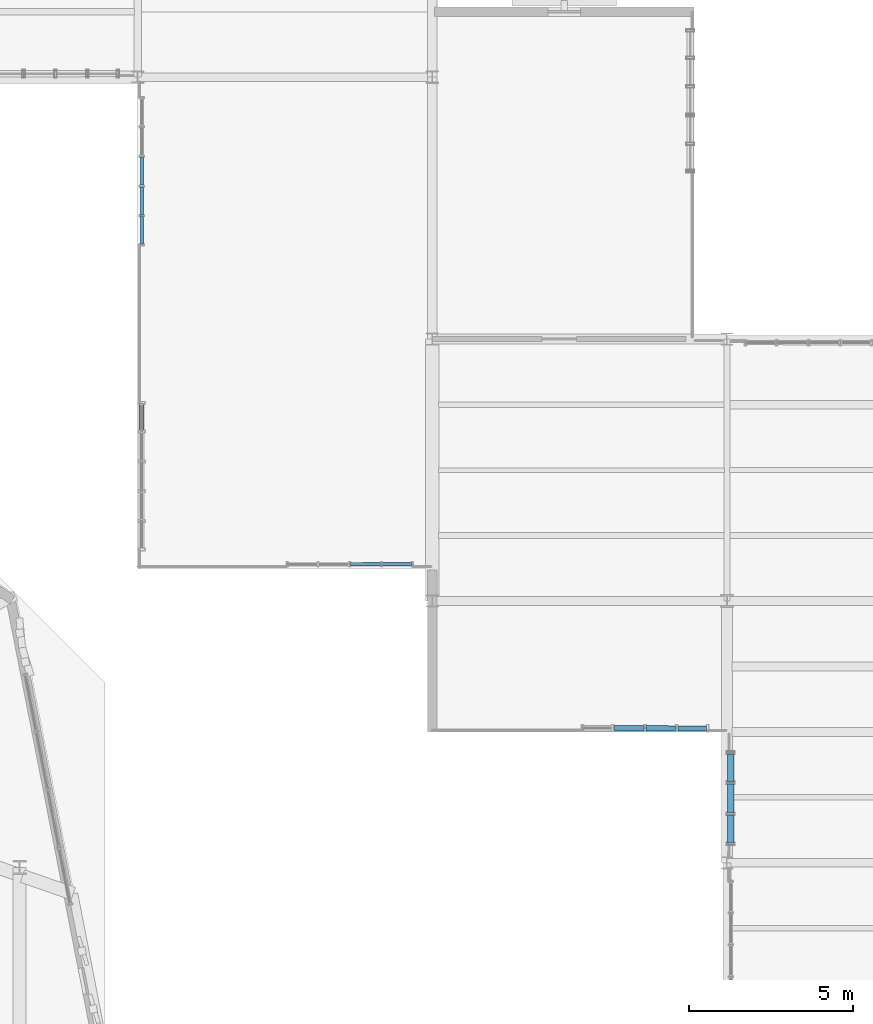
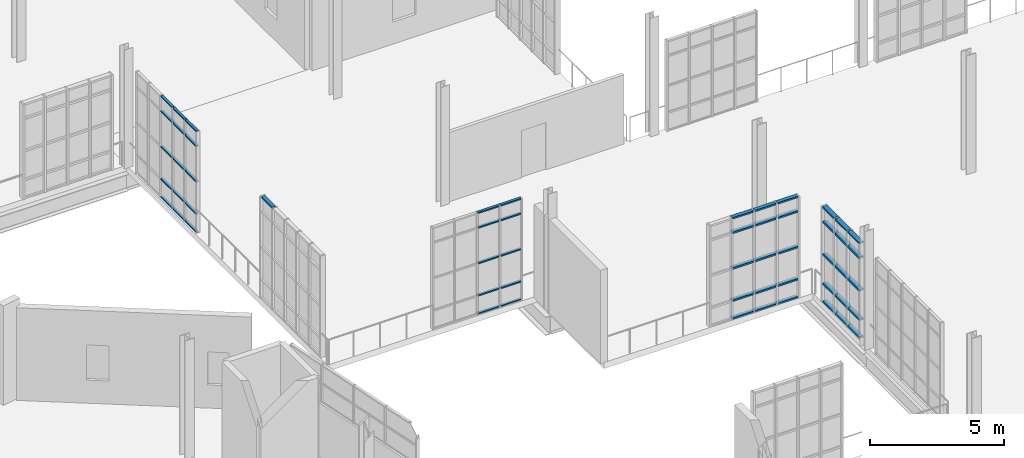
# One storey, part 92 of 142: 56 members, 5 elements without a shape of their own.
"""IFC4 building model written with IfcOpenShell, lengths in metres."""

from ifc_helpers import new_model, si_unit, direction, frame, origin, origin_2d, place, context, subcontext, project, spatial, hollow_rectangle, extrude, material, layer, layer_set, material_profile, profile_set, type_object, element, aggregate, save


model = new_model("IFC4")

# Units and contexts
model_context = context("Model", 3, precision=1e-05, world=origin(), true_north=direction((0.0, 1.0)))
body_context = subcontext(model_context, "Body", "Model", "MODEL_VIEW")
ifc_project = project(units=[si_unit("LENGTHUNIT", "METRE"), si_unit("AREAUNIT", "SQUARE_METRE"), si_unit("VOLUMEUNIT", "CUBIC_METRE"), si_unit("PLANEANGLEUNIT", "RADIAN"), si_unit("MASSUNIT", "GRAM", prefix="KILO"), si_unit("THERMODYNAMICTEMPERATUREUNIT", "KELVIN"), si_unit("POWERUNIT", "WATT")], contexts=[model_context])

# Site, building, storey
site_placement = place(None, origin())
site = spatial("IfcSite", under=ifc_project, at=site_placement, CompositionType="ELEMENT")
building_placement = place(site_placement, origin())
building = spatial("IfcBuilding", under=site, at=building_placement, Name="Zelmaris Science Centre", CompositionType="ELEMENT")
storey_placement = place(building_placement, frame((0.0, 0.0, 5.39990234375)))
storey = spatial("IfcBuildingStorey", under=building, at=storey_placement, Name="L01", CompositionType="ELEMENT", Elevation=5.39990234375)

# Curtain wall, members
ifc_material = material(Name="Anodised architectural aluminium 6063-T6", Category="aluminium")
ifc_layer_1 = layer(ifc_material, 0.219970703125, Name="Anodised architectural aluminium 6063-T6")
ifc_layer_set_1 = layer_set([ifc_layer_1], Name="Anodised architectural aluminium 6063-T6")
curtain_wall_type_1 = type_object("IfcCurtainWallType", Name="Curtain Wall CW-04", PredefinedType="USERDEFINED", material=ifc_layer_set_1)
curtain_wall_1_placement = place(storey_placement, origin())
curtain_wall_1 = element("IfcCurtainWall", 1, at=curtain_wall_1_placement, inside=storey, type_object=curtain_wall_type_1, Name="L01 Unitised curtain wall 184", ObjectType="GLAZED CURTAIN WALL", PredefinedType="USERDEFINED")
ifc_material_profile_1 = material_profile(ifc_material, hollow_rectangle(XDim=0.06005859375, YDim=0.110107421875, WallThickness=0.0029296875, at=origin_2d()), Name="ALU-TRN-60X110")
ifc_profile_set_1 = profile_set([ifc_material_profile_1], Name="Anodised architectural aluminium 6063-T6")
member_type_1 = type_object("IfcMemberType", Name="ALU-TRN-60X110", PredefinedType="USERDEFINED", material=ifc_profile_set_1)
member_1_placement = place(storey_placement, frame((107.365478515625, 49.11767578125, 0.010986328125), z_axis=(-0.999999962531, 0.000273747594, 0.0), x_axis=(0.0, 0.0, 1.0)))
member_1 = element("IfcMember", 2, at=member_1_placement, type_object=member_type_1, Name="CW-04 transom 1.1", ObjectType="TRANSOM", PredefinedType="USERDEFINED", context=body_context, shape_type="SweptSolid", body=[
    extrude(hollow_rectangle(XDim=0.06005859375, YDim=0.110107421875, WallThickness=0.0029296875, at=origin_2d()), origin(), (0.0, 0.0, 1.0), 0.891845703125),
])
member_2_placement = place(storey_placement, frame((107.365478515625, 49.11767578125, 0.835205078125), z_axis=(-0.999999962531, 0.000273747594, 0.0), x_axis=(0.0, 0.0, 1.0)))
member_2 = element("IfcMember", 3, at=member_2_placement, type_object=member_type_1, Name="CW-04 transom 1.2", ObjectType="TRANSOM", PredefinedType="USERDEFINED", context=body_context, shape_type="SweptSolid", body=[
    extrude(hollow_rectangle(XDim=0.06005859375, YDim=0.110107421875, WallThickness=0.0029296875, at=origin_2d()), origin(), (0.0, 0.0, 1.0), 0.891845703125),
])
member_3_placement = place(storey_placement, frame((107.365478515625, 49.11767578125, 2.302490234375), z_axis=(-0.999999962531, 0.000273747594, 0.0), x_axis=(0.0, 0.0, 1.0)))
member_3 = element("IfcMember", 4, at=member_3_placement, type_object=member_type_1, Name="CW-04 transom 1.3", ObjectType="TRANSOM", PredefinedType="USERDEFINED", context=body_context, shape_type="SweptSolid", body=[
    extrude(hollow_rectangle(XDim=0.06005859375, YDim=0.110107421875, WallThickness=0.0029296875, at=origin_2d()), origin(), (0.0, 0.0, 1.0), 0.891845703125),
])
member_4_placement = place(storey_placement, frame((107.365478515625, 49.11767578125, 3.920166015625), z_axis=(-0.999999962531, 0.000273747594, 0.0), x_axis=(0.0, 0.0, 1.0)))
member_4 = element("IfcMember", 5, at=member_4_placement, type_object=member_type_1, Name="CW-04 transom 1.4", ObjectType="TRANSOM", PredefinedType="USERDEFINED", context=body_context, shape_type="SweptSolid", body=[
    extrude(hollow_rectangle(XDim=0.06005859375, YDim=0.110107421875, WallThickness=0.0029296875, at=origin_2d()), origin(), (0.0, 0.0, 1.0), 0.891845703125),
])
member_5_placement = place(storey_placement, frame((107.365478515625, 49.11767578125, 4.593994140625), z_axis=(-0.999999962531, 0.000273747594, 0.0), x_axis=(0.0, 0.0, 1.0)))
member_5 = element("IfcMember", 6, at=member_5_placement, type_object=member_type_1, Name="CW-04 transom 1.5", ObjectType="TRANSOM", PredefinedType="USERDEFINED", context=body_context, shape_type="SweptSolid", body=[
    extrude(hollow_rectangle(XDim=0.06005859375, YDim=0.110107421875, WallThickness=0.0029296875, at=origin_2d()), origin(), (0.0, 0.0, 1.0), 0.891845703125),
])
member_6_placement = place(storey_placement, frame((106.421630859375, 49.117919921875, 0.010986328125), z_axis=(-0.999999964596, 0.000266098979, 0.0), x_axis=(0.0, 0.0, 1.0)))
member_6 = element("IfcMember", 7, at=member_6_placement, type_object=member_type_1, Name="CW-04 transom 2.1", ObjectType="TRANSOM", PredefinedType="USERDEFINED", context=body_context, shape_type="SweptSolid", body=[
    extrude(hollow_rectangle(XDim=0.06005859375, YDim=0.110107421875, WallThickness=0.0029296875, at=origin_2d()), origin(), (0.0, 0.0, 1.0), 0.91748046875),
])
member_7_placement = place(storey_placement, frame((106.421630859375, 49.117919921875, 0.835205078125), z_axis=(-0.999999964596, 0.000266098979, 0.0), x_axis=(0.0, 0.0, 1.0)))
member_7 = element("IfcMember", 8, at=member_7_placement, type_object=member_type_1, Name="CW-04 transom 2.2", ObjectType="TRANSOM", PredefinedType="USERDEFINED", context=body_context, shape_type="SweptSolid", body=[
    extrude(hollow_rectangle(XDim=0.06005859375, YDim=0.110107421875, WallThickness=0.0029296875, at=origin_2d()), origin(), (0.0, 0.0, 1.0), 0.91748046875),
])
member_8_placement = place(storey_placement, frame((106.421630859375, 49.117919921875, 2.302490234375), z_axis=(-0.999999964596, 0.000266098979, 0.0), x_axis=(0.0, 0.0, 1.0)))
member_8 = element("IfcMember", 9, at=member_8_placement, type_object=member_type_1, Name="CW-04 transom 2.3", ObjectType="TRANSOM", PredefinedType="USERDEFINED", context=body_context, shape_type="SweptSolid", body=[
    extrude(hollow_rectangle(XDim=0.06005859375, YDim=0.110107421875, WallThickness=0.0029296875, at=origin_2d()), origin(), (0.0, 0.0, 1.0), 0.91748046875),
])
member_9_placement = place(storey_placement, frame((106.421630859375, 49.117919921875, 3.920166015625), z_axis=(-0.999999964596, 0.000266098979, 0.0), x_axis=(0.0, 0.0, 1.0)))
member_9 = element("IfcMember", 10, at=member_9_placement, type_object=member_type_1, Name="CW-04 transom 2.4", ObjectType="TRANSOM", PredefinedType="USERDEFINED", context=body_context, shape_type="SweptSolid", body=[
    extrude(hollow_rectangle(XDim=0.06005859375, YDim=0.110107421875, WallThickness=0.0029296875, at=origin_2d()), origin(), (0.0, 0.0, 1.0), 0.91748046875),
])
member_10_placement = place(storey_placement, frame((106.421630859375, 49.117919921875, 4.593994140625), z_axis=(-0.999999964596, 0.000266098979, 0.0), x_axis=(0.0, 0.0, 1.0)))
member_10 = element("IfcMember", 11, at=member_10_placement, type_object=member_type_1, Name="CW-04 transom 2.5", ObjectType="TRANSOM", PredefinedType="USERDEFINED", context=body_context, shape_type="SweptSolid", body=[
    extrude(hollow_rectangle(XDim=0.06005859375, YDim=0.110107421875, WallThickness=0.0029296875, at=origin_2d()), origin(), (0.0, 0.0, 1.0), 0.91748046875),
])
aggregate(curtain_wall_1, [member_1, member_2, member_3, member_4, member_5, member_6, member_7, member_8, member_9, member_10])

curtain_wall_2_placement = place(storey_placement, origin())
curtain_wall_2 = element("IfcCurtainWall", 12, at=curtain_wall_2_placement, inside=storey, type_object=curtain_wall_type_1, Name="L01 Unitised curtain wall 188", ObjectType="GLAZED CURTAIN WALL", PredefinedType="USERDEFINED")
member_11_placement = place(storey_placement, frame((99.1201171875, 58.912109375, 0.010986328125), z_axis=(0.0, 1.0, 0.0), x_axis=(0.0, 0.0, 1.0)))
member_11 = element("IfcMember", 13, at=member_11_placement, type_object=member_type_1, Name="CW-04 transom 1.1", ObjectType="TRANSOM", PredefinedType="USERDEFINED", context=body_context, shape_type="SweptSolid", body=[
    extrude(hollow_rectangle(XDim=0.06005859375, YDim=0.110107421875, WallThickness=0.0029296875, at=origin_2d()), origin(), (0.0, 0.0, 1.0), 0.829833984375),
])
member_12_placement = place(storey_placement, frame((99.1201171875, 58.912109375, 0.835205078125), z_axis=(0.0, 1.0, 0.0), x_axis=(0.0, 0.0, 1.0)))
member_12 = element("IfcMember", 14, at=member_12_placement, type_object=member_type_1, Name="CW-04 transom 1.2", ObjectType="TRANSOM", PredefinedType="USERDEFINED", context=body_context, shape_type="SweptSolid", body=[
    extrude(hollow_rectangle(XDim=0.06005859375, YDim=0.110107421875, WallThickness=0.0029296875, at=origin_2d()), origin(), (0.0, 0.0, 1.0), 0.829833984375),
])
member_13_placement = place(storey_placement, frame((99.1201171875, 58.912109375, 2.302490234375), z_axis=(0.0, 1.0, 0.0), x_axis=(0.0, 0.0, 1.0)))
member_13 = element("IfcMember", 15, at=member_13_placement, type_object=member_type_1, Name="CW-04 transom 1.3", ObjectType="TRANSOM", PredefinedType="USERDEFINED", context=body_context, shape_type="SweptSolid", body=[
    extrude(hollow_rectangle(XDim=0.06005859375, YDim=0.110107421875, WallThickness=0.0029296875, at=origin_2d()), origin(), (0.0, 0.0, 1.0), 0.829833984375),
])
member_14_placement = place(storey_placement, frame((99.1201171875, 58.912109375, 3.920166015625), z_axis=(0.0, 1.0, 0.0), x_axis=(0.0, 0.0, 1.0)))
member_14 = element("IfcMember", 16, at=member_14_placement, type_object=member_type_1, Name="CW-04 transom 1.4", ObjectType="TRANSOM", PredefinedType="USERDEFINED", context=body_context, shape_type="SweptSolid", body=[
    extrude(hollow_rectangle(XDim=0.06005859375, YDim=0.110107421875, WallThickness=0.0029296875, at=origin_2d()), origin(), (0.0, 0.0, 1.0), 0.829833984375),
])
member_15_placement = place(storey_placement, frame((99.1201171875, 58.912109375, 4.593994140625), z_axis=(0.0, 1.0, 0.0), x_axis=(0.0, 0.0, 1.0)))
member_15 = element("IfcMember", 17, at=member_15_placement, type_object=member_type_1, Name="CW-04 transom 1.5", ObjectType="TRANSOM", PredefinedType="USERDEFINED", context=body_context, shape_type="SweptSolid", body=[
    extrude(hollow_rectangle(XDim=0.06005859375, YDim=0.110107421875, WallThickness=0.0029296875, at=origin_2d()), origin(), (0.0, 0.0, 1.0), 0.829833984375),
])
member_16_placement = place(storey_placement, frame((99.1201171875, 59.7939453125, 0.010986328125), z_axis=(0.0, 1.0, 0.0), x_axis=(0.0, 0.0, 1.0)))
member_16 = element("IfcMember", 18, at=member_16_placement, type_object=member_type_1, Name="CW-04 transom 2.1", ObjectType="TRANSOM", PredefinedType="USERDEFINED", context=body_context, shape_type="SweptSolid", body=[
    extrude(hollow_rectangle(XDim=0.06005859375, YDim=0.110107421875, WallThickness=0.0029296875, at=origin_2d()), origin(), (0.0, 0.0, 1.0), 0.85595703125),
])
member_17_placement = place(storey_placement, frame((99.1201171875, 59.7939453125, 0.835205078125), z_axis=(0.0, 1.0, 0.0), x_axis=(0.0, 0.0, 1.0)))
member_17 = element("IfcMember", 19, at=member_17_placement, type_object=member_type_1, Name="CW-04 transom 2.2", ObjectType="TRANSOM", PredefinedType="USERDEFINED", context=body_context, shape_type="SweptSolid", body=[
    extrude(hollow_rectangle(XDim=0.06005859375, YDim=0.110107421875, WallThickness=0.0029296875, at=origin_2d()), origin(), (0.0, 0.0, 1.0), 0.85595703125),
])
member_18_placement = place(storey_placement, frame((99.1201171875, 59.7939453125, 2.302490234375), z_axis=(0.0, 1.0, 0.0), x_axis=(0.0, 0.0, 1.0)))
member_18 = element("IfcMember", 20, at=member_18_placement, type_object=member_type_1, Name="CW-04 transom 2.3", ObjectType="TRANSOM", PredefinedType="USERDEFINED", context=body_context, shape_type="SweptSolid", body=[
    extrude(hollow_rectangle(XDim=0.06005859375, YDim=0.110107421875, WallThickness=0.0029296875, at=origin_2d()), origin(), (0.0, 0.0, 1.0), 0.85595703125),
])
member_19_placement = place(storey_placement, frame((99.1201171875, 59.7939453125, 3.920166015625), z_axis=(0.0, 1.0, 0.0), x_axis=(0.0, 0.0, 1.0)))
member_19 = element("IfcMember", 21, at=member_19_placement, type_object=member_type_1, Name="CW-04 transom 2.4", ObjectType="TRANSOM", PredefinedType="USERDEFINED", context=body_context, shape_type="SweptSolid", body=[
    extrude(hollow_rectangle(XDim=0.06005859375, YDim=0.110107421875, WallThickness=0.0029296875, at=origin_2d()), origin(), (0.0, 0.0, 1.0), 0.85595703125),
])
member_20_placement = place(storey_placement, frame((99.1201171875, 59.7939453125, 4.593994140625), z_axis=(0.0, 1.0, 0.0), x_axis=(0.0, 0.0, 1.0)))
member_20 = element("IfcMember", 22, at=member_20_placement, type_object=member_type_1, Name="CW-04 transom 2.5", ObjectType="TRANSOM", PredefinedType="USERDEFINED", context=body_context, shape_type="SweptSolid", body=[
    extrude(hollow_rectangle(XDim=0.06005859375, YDim=0.110107421875, WallThickness=0.0029296875, at=origin_2d()), origin(), (0.0, 0.0, 1.0), 0.85595703125),
])
member_21_placement = place(storey_placement, frame((99.1201171875, 60.701904296875, 0.010986328125), z_axis=(0.0, 1.0, 0.0), x_axis=(0.0, 0.0, 1.0)))
member_21 = element("IfcMember", 23, at=member_21_placement, type_object=member_type_1, Name="CW-04 transom 3.1", ObjectType="TRANSOM", PredefinedType="USERDEFINED", context=body_context, shape_type="SweptSolid", body=[
    extrude(hollow_rectangle(XDim=0.06005859375, YDim=0.110107421875, WallThickness=0.0029296875, at=origin_2d()), origin(), (0.0, 0.0, 1.0), 0.856201171875),
])
member_22_placement = place(storey_placement, frame((99.1201171875, 60.701904296875, 0.835205078125), z_axis=(0.0, 1.0, 0.0), x_axis=(0.0, 0.0, 1.0)))
member_22 = element("IfcMember", 24, at=member_22_placement, type_object=member_type_1, Name="CW-04 transom 3.2", ObjectType="TRANSOM", PredefinedType="USERDEFINED", context=body_context, shape_type="SweptSolid", body=[
    extrude(hollow_rectangle(XDim=0.06005859375, YDim=0.110107421875, WallThickness=0.0029296875, at=origin_2d()), origin(), (0.0, 0.0, 1.0), 0.856201171875),
])
member_23_placement = place(storey_placement, frame((99.1201171875, 60.701904296875, 2.302490234375), z_axis=(0.0, 1.0, 0.0), x_axis=(0.0, 0.0, 1.0)))
member_23 = element("IfcMember", 25, at=member_23_placement, type_object=member_type_1, Name="CW-04 transom 3.3", ObjectType="TRANSOM", PredefinedType="USERDEFINED", context=body_context, shape_type="SweptSolid", body=[
    extrude(hollow_rectangle(XDim=0.06005859375, YDim=0.110107421875, WallThickness=0.0029296875, at=origin_2d()), origin(), (0.0, 0.0, 1.0), 0.856201171875),
])
member_24_placement = place(storey_placement, frame((99.1201171875, 60.701904296875, 3.920166015625), z_axis=(0.0, 1.0, 0.0), x_axis=(0.0, 0.0, 1.0)))
member_24 = element("IfcMember", 26, at=member_24_placement, type_object=member_type_1, Name="CW-04 transom 3.4", ObjectType="TRANSOM", PredefinedType="USERDEFINED", context=body_context, shape_type="SweptSolid", body=[
    extrude(hollow_rectangle(XDim=0.06005859375, YDim=0.110107421875, WallThickness=0.0029296875, at=origin_2d()), origin(), (0.0, 0.0, 1.0), 0.856201171875),
])
member_25_placement = place(storey_placement, frame((99.1201171875, 60.701904296875, 4.593994140625), z_axis=(0.0, 1.0, 0.0), x_axis=(0.0, 0.0, 1.0)))
member_25 = element("IfcMember", 27, at=member_25_placement, type_object=member_type_1, Name="CW-04 transom 3.5", ObjectType="TRANSOM", PredefinedType="USERDEFINED", context=body_context, shape_type="SweptSolid", body=[
    extrude(hollow_rectangle(XDim=0.06005859375, YDim=0.110107421875, WallThickness=0.0029296875, at=origin_2d()), origin(), (0.0, 0.0, 1.0), 0.856201171875),
])
aggregate(curtain_wall_2, [member_11, member_12, member_13, member_14, member_15, member_16, member_17, member_18, member_19, member_20, member_21, member_22, member_23, member_24, member_25])

ifc_layer_2 = layer(ifc_material, 0.199951171875, Name="Anodised architectural aluminium 6063-T6")
ifc_layer_set_2 = layer_set([ifc_layer_2], Name="Anodised architectural aluminium 6063-T6")
curtain_wall_type_2 = type_object("IfcCurtainWallType", Name="Curtain Wall CW-02", PredefinedType="USERDEFINED", material=ifc_layer_set_2)
curtain_wall_3_placement = place(storey_placement, origin())
curtain_wall_3 = element("IfcCurtainWall", 28, at=curtain_wall_3_placement, inside=storey, type_object=curtain_wall_type_2, Name="L01 Unitised curtain wall 182", ObjectType="GLAZED CURTAIN WALL", PredefinedType="USERDEFINED")
ifc_material_profile_2 = material_profile(ifc_material, hollow_rectangle(XDim=0.074951171875, YDim=0.159912109375, WallThickness=0.00390625, at=origin_2d()), Name="ALU-TRN-75X160")
ifc_profile_set_2 = profile_set([ifc_material_profile_2], Name="Anodised architectural aluminium 6063-T6")
member_type_2 = type_object("IfcMemberType", Name="ALU-TRN-75X160", PredefinedType="USERDEFINED", material=ifc_profile_set_2)
member_26_placement = place(storey_placement, frame((116.371337890625, 44.107421875, 0.0185546875), z_axis=(-0.999999019766, 0.001400166648, 0.0), x_axis=(0.0, 0.0, 1.0)))
member_26 = element("IfcMember", 29, at=member_26_placement, type_object=member_type_2, Name="CW-02 transom 1.1", ObjectType="TRANSOM", PredefinedType="USERDEFINED", context=body_context, shape_type="SweptSolid", body=[
    extrude(hollow_rectangle(XDim=0.074951171875, YDim=0.159912109375, WallThickness=0.00390625, at=origin_2d()), origin(), (0.0, 0.0, 1.0), 0.871826171875),
])
member_27_placement = place(storey_placement, frame((116.371337890625, 44.107421875, 0.835205078125), z_axis=(-0.999999019766, 0.001400166648, 0.0), x_axis=(0.0, 0.0, 1.0)))
member_27 = element("IfcMember", 30, at=member_27_placement, type_object=member_type_2, Name="CW-02 transom 1.2", ObjectType="TRANSOM", PredefinedType="USERDEFINED", context=body_context, shape_type="SweptSolid", body=[
    extrude(hollow_rectangle(XDim=0.074951171875, YDim=0.159912109375, WallThickness=0.00390625, at=origin_2d()), origin(), (0.0, 0.0, 1.0), 0.871826171875),
])
member_28_placement = place(storey_placement, frame((116.371337890625, 44.107421875, 2.302490234375), z_axis=(-0.999999019766, 0.001400166648, 0.0), x_axis=(0.0, 0.0, 1.0)))
member_28 = element("IfcMember", 31, at=member_28_placement, type_object=member_type_2, Name="CW-02 transom 1.3", ObjectType="TRANSOM", PredefinedType="USERDEFINED", context=body_context, shape_type="SweptSolid", body=[
    extrude(hollow_rectangle(XDim=0.074951171875, YDim=0.159912109375, WallThickness=0.00390625, at=origin_2d()), origin(), (0.0, 0.0, 1.0), 0.871826171875),
])
member_29_placement = place(storey_placement, frame((116.371337890625, 44.107421875, 3.920166015625), z_axis=(-0.999999019766, 0.001400166648, 0.0), x_axis=(0.0, 0.0, 1.0)))
member_29 = element("IfcMember", 32, at=member_29_placement, type_object=member_type_2, Name="CW-02 transom 1.4", ObjectType="TRANSOM", PredefinedType="USERDEFINED", context=body_context, shape_type="SweptSolid", body=[
    extrude(hollow_rectangle(XDim=0.074951171875, YDim=0.159912109375, WallThickness=0.00390625, at=origin_2d()), origin(), (0.0, 0.0, 1.0), 0.871826171875),
])
member_30_placement = place(storey_placement, frame((116.371337890625, 44.107421875, 4.586669921875), z_axis=(-0.999999019766, 0.001400166648, 0.0), x_axis=(0.0, 0.0, 1.0)))
member_30 = element("IfcMember", 33, at=member_30_placement, type_object=member_type_2, Name="CW-02 transom 1.5", ObjectType="TRANSOM", PredefinedType="USERDEFINED", context=body_context, shape_type="SweptSolid", body=[
    extrude(hollow_rectangle(XDim=0.074951171875, YDim=0.159912109375, WallThickness=0.00390625, at=origin_2d()), origin(), (0.0, 0.0, 1.0), 0.871826171875),
])
member_31_placement = place(storey_placement, frame((115.4326171875, 44.108642578125, 0.0185546875), z_axis=(-0.999998690842, 0.001618120859, 0.0), x_axis=(0.0, 0.0, 1.0)))
member_31 = element("IfcMember", 34, at=member_31_placement, type_object=member_type_2, Name="CW-02 transom 2.1", ObjectType="TRANSOM", PredefinedType="USERDEFINED", context=body_context, shape_type="SweptSolid", body=[
    extrude(hollow_rectangle(XDim=0.074951171875, YDim=0.159912109375, WallThickness=0.00390625, at=origin_2d()), origin(), (0.0, 0.0, 1.0), 0.9052734375),
])
member_32_placement = place(storey_placement, frame((115.4326171875, 44.108642578125, 0.835205078125), z_axis=(-0.999998690842, 0.001618120859, 0.0), x_axis=(0.0, 0.0, 1.0)))
member_32 = element("IfcMember", 35, at=member_32_placement, type_object=member_type_2, Name="CW-02 transom 2.2", ObjectType="TRANSOM", PredefinedType="USERDEFINED", context=body_context, shape_type="SweptSolid", body=[
    extrude(hollow_rectangle(XDim=0.074951171875, YDim=0.159912109375, WallThickness=0.00390625, at=origin_2d()), origin(), (0.0, 0.0, 1.0), 0.9052734375),
])
member_33_placement = place(storey_placement, frame((115.4326171875, 44.108642578125, 2.302490234375), z_axis=(-0.999998690842, 0.001618120859, 0.0), x_axis=(0.0, 0.0, 1.0)))
member_33 = element("IfcMember", 36, at=member_33_placement, type_object=member_type_2, Name="CW-02 transom 2.3", ObjectType="TRANSOM", PredefinedType="USERDEFINED", context=body_context, shape_type="SweptSolid", body=[
    extrude(hollow_rectangle(XDim=0.074951171875, YDim=0.159912109375, WallThickness=0.00390625, at=origin_2d()), origin(), (0.0, 0.0, 1.0), 0.9052734375),
])
member_34_placement = place(storey_placement, frame((115.4326171875, 44.108642578125, 3.920166015625), z_axis=(-0.999998690842, 0.001618120859, 0.0), x_axis=(0.0, 0.0, 1.0)))
member_34 = element("IfcMember", 37, at=member_34_placement, type_object=member_type_2, Name="CW-02 transom 2.4", ObjectType="TRANSOM", PredefinedType="USERDEFINED", context=body_context, shape_type="SweptSolid", body=[
    extrude(hollow_rectangle(XDim=0.074951171875, YDim=0.159912109375, WallThickness=0.00390625, at=origin_2d()), origin(), (0.0, 0.0, 1.0), 0.9052734375),
])
member_35_placement = place(storey_placement, frame((115.4326171875, 44.108642578125, 4.586669921875), z_axis=(-0.999998690842, 0.001618120859, 0.0), x_axis=(0.0, 0.0, 1.0)))
member_35 = element("IfcMember", 38, at=member_35_placement, type_object=member_type_2, Name="CW-02 transom 2.5", ObjectType="TRANSOM", PredefinedType="USERDEFINED", context=body_context, shape_type="SweptSolid", body=[
    extrude(hollow_rectangle(XDim=0.074951171875, YDim=0.159912109375, WallThickness=0.00390625, at=origin_2d()), origin(), (0.0, 0.0, 1.0), 0.9052734375),
])
member_36_placement = place(storey_placement, frame((114.460205078125, 44.110107421875, 0.0185546875), z_axis=(-0.999998690842, 0.001618120859, 0.0), x_axis=(0.0, 0.0, 1.0)))
member_36 = element("IfcMember", 39, at=member_36_placement, type_object=member_type_2, Name="CW-02 transom 3.1", ObjectType="TRANSOM", PredefinedType="USERDEFINED", context=body_context, shape_type="SweptSolid", body=[
    extrude(hollow_rectangle(XDim=0.074951171875, YDim=0.159912109375, WallThickness=0.00390625, at=origin_2d()), origin(), (0.0, 0.0, 1.0), 0.9052734375),
])
member_37_placement = place(storey_placement, frame((114.460205078125, 44.110107421875, 0.835205078125), z_axis=(-0.999998690842, 0.001618120859, 0.0), x_axis=(0.0, 0.0, 1.0)))
member_37 = element("IfcMember", 40, at=member_37_placement, type_object=member_type_2, Name="CW-02 transom 3.2", ObjectType="TRANSOM", PredefinedType="USERDEFINED", context=body_context, shape_type="SweptSolid", body=[
    extrude(hollow_rectangle(XDim=0.074951171875, YDim=0.159912109375, WallThickness=0.00390625, at=origin_2d()), origin(), (0.0, 0.0, 1.0), 0.9052734375),
])
member_38_placement = place(storey_placement, frame((114.460205078125, 44.110107421875, 2.302490234375), z_axis=(-0.999998690842, 0.001618120859, 0.0), x_axis=(0.0, 0.0, 1.0)))
member_38 = element("IfcMember", 41, at=member_38_placement, type_object=member_type_2, Name="CW-02 transom 3.3", ObjectType="TRANSOM", PredefinedType="USERDEFINED", context=body_context, shape_type="SweptSolid", body=[
    extrude(hollow_rectangle(XDim=0.074951171875, YDim=0.159912109375, WallThickness=0.00390625, at=origin_2d()), origin(), (0.0, 0.0, 1.0), 0.9052734375),
])
member_39_placement = place(storey_placement, frame((114.460205078125, 44.110107421875, 3.920166015625), z_axis=(-0.999998690842, 0.001618120859, 0.0), x_axis=(0.0, 0.0, 1.0)))
member_39 = element("IfcMember", 42, at=member_39_placement, type_object=member_type_2, Name="CW-02 transom 3.4", ObjectType="TRANSOM", PredefinedType="USERDEFINED", context=body_context, shape_type="SweptSolid", body=[
    extrude(hollow_rectangle(XDim=0.074951171875, YDim=0.159912109375, WallThickness=0.00390625, at=origin_2d()), origin(), (0.0, 0.0, 1.0), 0.9052734375),
])
member_40_placement = place(storey_placement, frame((114.460205078125, 44.110107421875, 4.586669921875), z_axis=(-0.999998690842, 0.001618120859, 0.0), x_axis=(0.0, 0.0, 1.0)))
member_40 = element("IfcMember", 43, at=member_40_placement, type_object=member_type_2, Name="CW-02 transom 3.5", ObjectType="TRANSOM", PredefinedType="USERDEFINED", context=body_context, shape_type="SweptSolid", body=[
    extrude(hollow_rectangle(XDim=0.074951171875, YDim=0.159912109375, WallThickness=0.00390625, at=origin_2d()), origin(), (0.0, 0.0, 1.0), 0.9052734375),
])
aggregate(curtain_wall_3, [member_26, member_27, member_28, member_29, member_30, member_31, member_32, member_33, member_34, member_35, member_36, member_37, member_38, member_39, member_40])

# Curtain wall, member
curtain_wall_4_placement = place(storey_placement, origin())
curtain_wall_4 = element("IfcCurtainWall", 44, at=curtain_wall_4_placement, inside=storey, type_object=curtain_wall_type_2, Name="L01 Unitised curtain wall 186", ObjectType="GLAZED CURTAIN WALL", PredefinedType="USERDEFINED")
member_41_placement = place(storey_placement, frame((99.1201171875, 53.20556640625, 4.586669921875), z_axis=(0.0, 1.0, 0.0), x_axis=(0.0, 0.0, 1.0)))
member_41 = element("IfcMember", 45, at=member_41_placement, type_object=member_type_2, Name="CW-02 transom 5.5", ObjectType="TRANSOM", PredefinedType="USERDEFINED", context=body_context, shape_type="SweptSolid", body=[
    extrude(hollow_rectangle(XDim=0.074951171875, YDim=0.159912109375, WallThickness=0.00390625, at=origin_2d()), origin(), (0.0, 0.0, 1.0), 0.807373046875),
])
aggregate(curtain_wall_4, [member_41])

# Curtain wall, members
ifc_layer_3 = layer(ifc_material, 0.18994140625, Name="Anodised architectural aluminium 6063-T6")
ifc_layer_set_3 = layer_set([ifc_layer_3], Name="Anodised architectural aluminium 6063-T6")
curtain_wall_type_3 = type_object("IfcCurtainWallType", Name="Curtain Wall CW-01", PredefinedType="USERDEFINED", material=ifc_layer_set_3)
curtain_wall_5_placement = place(storey_placement, origin())
curtain_wall_5 = element("IfcCurtainWall", 46, at=curtain_wall_5_placement, inside=storey, type_object=curtain_wall_type_3, Name="L01 Unitised curtain wall 181", ObjectType="GLAZED CURTAIN WALL", PredefinedType="USERDEFINED")
ifc_material_profile_3 = material_profile(ifc_material, hollow_rectangle(XDim=0.080078125, YDim=0.18994140625, WallThickness=0.00439453125, at=origin_2d()), Name="ALU-TRN-80X190")
ifc_profile_set_3 = profile_set([ifc_material_profile_3], Name="Anodised architectural aluminium 6063-T6")
member_type_3 = type_object("IfcMemberType", Name="ALU-TRN-80X190", PredefinedType="USERDEFINED", material=ifc_profile_set_3)
member_42_placement = place(storey_placement, frame((117.116455078125, 40.61181640625, 0.02099609375), z_axis=(0.00115506709, 0.99999933291, 0.0), x_axis=(0.0, 0.0, 1.0)))
member_42 = element("IfcMember", 47, at=member_42_placement, type_object=member_type_3, Name="CW-01 transom 1.1", ObjectType="TRANSOM", PredefinedType="USERDEFINED", context=body_context, shape_type="SweptSolid", body=[
    extrude(hollow_rectangle(XDim=0.080078125, YDim=0.18994140625, WallThickness=0.00439453125, at=origin_2d()), origin(), (0.0, 0.0, 1.0), 0.845458984375),
])
member_43_placement = place(storey_placement, frame((117.116455078125, 40.61181640625, 0.835205078125), z_axis=(0.00115506709, 0.99999933291, 0.0), x_axis=(0.0, 0.0, 1.0)))
member_43 = element("IfcMember", 48, at=member_43_placement, type_object=member_type_3, Name="CW-01 transom 1.2", ObjectType="TRANSOM", PredefinedType="USERDEFINED", context=body_context, shape_type="SweptSolid", body=[
    extrude(hollow_rectangle(XDim=0.080078125, YDim=0.18994140625, WallThickness=0.00439453125, at=origin_2d()), origin(), (0.0, 0.0, 1.0), 0.845458984375),
])
member_44_placement = place(storey_placement, frame((117.116455078125, 40.61181640625, 2.16650390625), z_axis=(0.00115506709, 0.99999933291, 0.0), x_axis=(0.0, 0.0, 1.0)))
member_44 = element("IfcMember", 49, at=member_44_placement, type_object=member_type_3, Name="CW-01 transom 1.3", ObjectType="TRANSOM", PredefinedType="USERDEFINED", context=body_context, shape_type="SweptSolid", body=[
    extrude(hollow_rectangle(XDim=0.080078125, YDim=0.18994140625, WallThickness=0.00439453125, at=origin_2d()), origin(), (0.0, 0.0, 1.0), 0.845458984375),
])
member_45_placement = place(storey_placement, frame((117.116455078125, 40.61181640625, 3.648193359375), z_axis=(0.00115506709, 0.99999933291, 0.0), x_axis=(0.0, 0.0, 1.0)))
member_45 = element("IfcMember", 50, at=member_45_placement, type_object=member_type_3, Name="CW-01 transom 1.4", ObjectType="TRANSOM", PredefinedType="USERDEFINED", context=body_context, shape_type="SweptSolid", body=[
    extrude(hollow_rectangle(XDim=0.080078125, YDim=0.18994140625, WallThickness=0.00439453125, at=origin_2d()), origin(), (0.0, 0.0, 1.0), 0.845458984375),
])
member_46_placement = place(storey_placement, frame((117.116455078125, 40.61181640625, 4.31201171875), z_axis=(0.00115506709, 0.99999933291, 0.0), x_axis=(0.0, 0.0, 1.0)))
member_46 = element("IfcMember", 51, at=member_46_placement, type_object=member_type_3, Name="CW-01 transom 1.5", ObjectType="TRANSOM", PredefinedType="USERDEFINED", context=body_context, shape_type="SweptSolid", body=[
    extrude(hollow_rectangle(XDim=0.080078125, YDim=0.18994140625, WallThickness=0.00439453125, at=origin_2d()), origin(), (0.0, 0.0, 1.0), 0.845458984375),
])
member_47_placement = place(storey_placement, frame((117.117431640625, 41.529296875, 0.02099609375), z_axis=(0.001108032561, 0.999999386132, 0.0), x_axis=(0.0, 0.0, 1.0)))
member_47 = element("IfcMember", 52, at=member_47_placement, type_object=member_type_3, Name="CW-01 transom 2.1", ObjectType="TRANSOM", PredefinedType="USERDEFINED", context=body_context, shape_type="SweptSolid", body=[
    extrude(hollow_rectangle(XDim=0.080078125, YDim=0.18994140625, WallThickness=0.00439453125, at=origin_2d()), origin(), (0.0, 0.0, 1.0), 0.88134765625),
])
member_48_placement = place(storey_placement, frame((117.117431640625, 41.529296875, 0.835205078125), z_axis=(0.001108032561, 0.999999386132, 0.0), x_axis=(0.0, 0.0, 1.0)))
member_48 = element("IfcMember", 53, at=member_48_placement, type_object=member_type_3, Name="CW-01 transom 2.2", ObjectType="TRANSOM", PredefinedType="USERDEFINED", context=body_context, shape_type="SweptSolid", body=[
    extrude(hollow_rectangle(XDim=0.080078125, YDim=0.18994140625, WallThickness=0.00439453125, at=origin_2d()), origin(), (0.0, 0.0, 1.0), 0.88134765625),
])
member_49_placement = place(storey_placement, frame((117.117431640625, 41.529296875, 2.16650390625), z_axis=(0.001108032561, 0.999999386132, 0.0), x_axis=(0.0, 0.0, 1.0)))
member_49 = element("IfcMember", 54, at=member_49_placement, type_object=member_type_3, Name="CW-01 transom 2.3", ObjectType="TRANSOM", PredefinedType="USERDEFINED", context=body_context, shape_type="SweptSolid", body=[
    extrude(hollow_rectangle(XDim=0.080078125, YDim=0.18994140625, WallThickness=0.00439453125, at=origin_2d()), origin(), (0.0, 0.0, 1.0), 0.88134765625),
])
member_50_placement = place(storey_placement, frame((117.117431640625, 41.529296875, 3.648193359375), z_axis=(0.001108032561, 0.999999386132, 0.0), x_axis=(0.0, 0.0, 1.0)))
member_50 = element("IfcMember", 55, at=member_50_placement, type_object=member_type_3, Name="CW-01 transom 2.4", ObjectType="TRANSOM", PredefinedType="USERDEFINED", context=body_context, shape_type="SweptSolid", body=[
    extrude(hollow_rectangle(XDim=0.080078125, YDim=0.18994140625, WallThickness=0.00439453125, at=origin_2d()), origin(), (0.0, 0.0, 1.0), 0.88134765625),
])
member_51_placement = place(storey_placement, frame((117.117431640625, 41.529296875, 4.31201171875), z_axis=(0.001108032561, 0.999999386132, 0.0), x_axis=(0.0, 0.0, 1.0)))
member_51 = element("IfcMember", 56, at=member_51_placement, type_object=member_type_3, Name="CW-01 transom 2.5", ObjectType="TRANSOM", PredefinedType="USERDEFINED", context=body_context, shape_type="SweptSolid", body=[
    extrude(hollow_rectangle(XDim=0.080078125, YDim=0.18994140625, WallThickness=0.00439453125, at=origin_2d()), origin(), (0.0, 0.0, 1.0), 0.88134765625),
])
member_52_placement = place(storey_placement, frame((117.118408203125, 42.482666015625, 0.02099609375), z_axis=(0.001155400731, 0.999999332524, 0.0), x_axis=(0.0, 0.0, 1.0)))
member_52 = element("IfcMember", 57, at=member_52_placement, type_object=member_type_3, Name="CW-01 transom 3.1", ObjectType="TRANSOM", PredefinedType="USERDEFINED", context=body_context, shape_type="SweptSolid", body=[
    extrude(hollow_rectangle(XDim=0.080078125, YDim=0.18994140625, WallThickness=0.00439453125, at=origin_2d()), origin(), (0.0, 0.0, 1.0), 0.84521484375),
])
member_53_placement = place(storey_placement, frame((117.118408203125, 42.482666015625, 0.835205078125), z_axis=(0.001155400731, 0.999999332524, 0.0), x_axis=(0.0, 0.0, 1.0)))
member_53 = element("IfcMember", 58, at=member_53_placement, type_object=member_type_3, Name="CW-01 transom 3.2", ObjectType="TRANSOM", PredefinedType="USERDEFINED", context=body_context, shape_type="SweptSolid", body=[
    extrude(hollow_rectangle(XDim=0.080078125, YDim=0.18994140625, WallThickness=0.00439453125, at=origin_2d()), origin(), (0.0, 0.0, 1.0), 0.84521484375),
])
member_54_placement = place(storey_placement, frame((117.118408203125, 42.482666015625, 2.16650390625), z_axis=(0.001155400731, 0.999999332524, 0.0), x_axis=(0.0, 0.0, 1.0)))
member_54 = element("IfcMember", 59, at=member_54_placement, type_object=member_type_3, Name="CW-01 transom 3.3", ObjectType="TRANSOM", PredefinedType="USERDEFINED", context=body_context, shape_type="SweptSolid", body=[
    extrude(hollow_rectangle(XDim=0.080078125, YDim=0.18994140625, WallThickness=0.00439453125, at=origin_2d()), origin(), (0.0, 0.0, 1.0), 0.84521484375),
])
member_55_placement = place(storey_placement, frame((117.118408203125, 42.482666015625, 3.648193359375), z_axis=(0.001155400731, 0.999999332524, 0.0), x_axis=(0.0, 0.0, 1.0)))
member_55 = element("IfcMember", 60, at=member_55_placement, type_object=member_type_3, Name="CW-01 transom 3.4", ObjectType="TRANSOM", PredefinedType="USERDEFINED", context=body_context, shape_type="SweptSolid", body=[
    extrude(hollow_rectangle(XDim=0.080078125, YDim=0.18994140625, WallThickness=0.00439453125, at=origin_2d()), origin(), (0.0, 0.0, 1.0), 0.84521484375),
])
member_56_placement = place(storey_placement, frame((117.118408203125, 42.482666015625, 4.31201171875), z_axis=(0.001155400731, 0.999999332524, 0.0), x_axis=(0.0, 0.0, 1.0)))
member_56 = element("IfcMember", 61, at=member_56_placement, type_object=member_type_3, Name="CW-01 transom 3.5", ObjectType="TRANSOM", PredefinedType="USERDEFINED", context=body_context, shape_type="SweptSolid", body=[
    extrude(hollow_rectangle(XDim=0.080078125, YDim=0.18994140625, WallThickness=0.00439453125, at=origin_2d()), origin(), (0.0, 0.0, 1.0), 0.84521484375),
])
aggregate(curtain_wall_5, [member_42, member_43, member_44, member_45, member_46, member_47, member_48, member_49, member_50, member_51, member_52, member_53, member_54, member_55, member_56])

save(model, "model.ifc")
